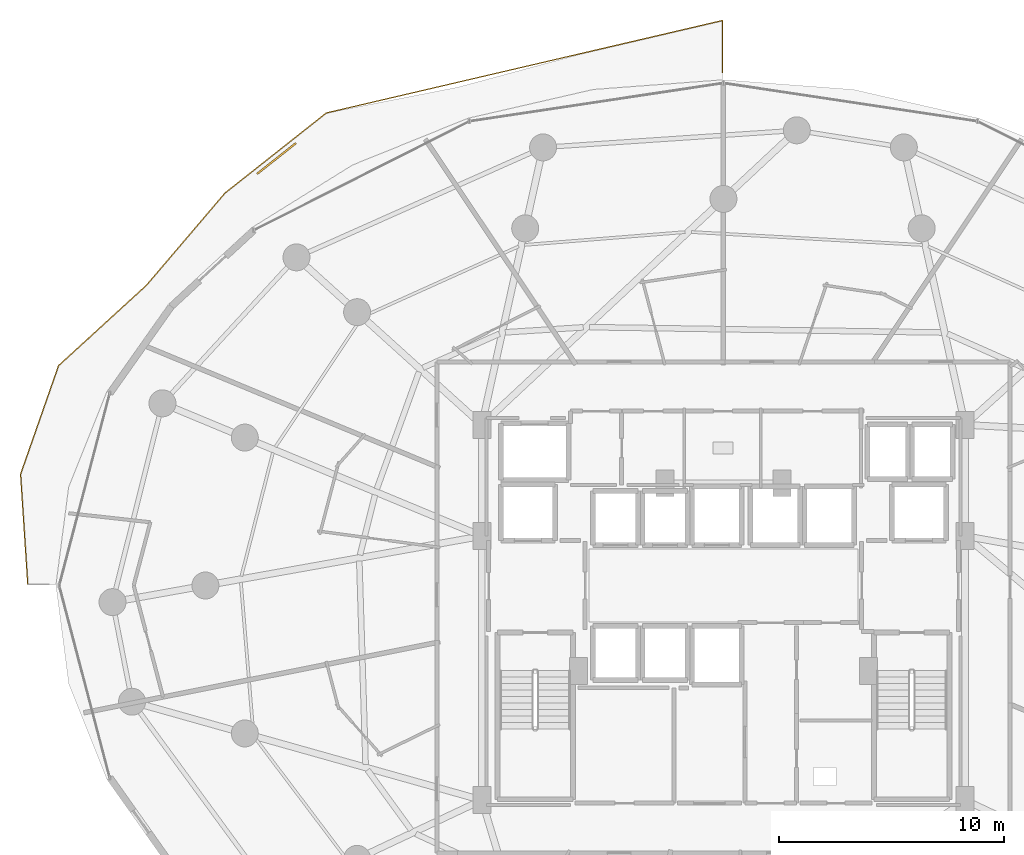
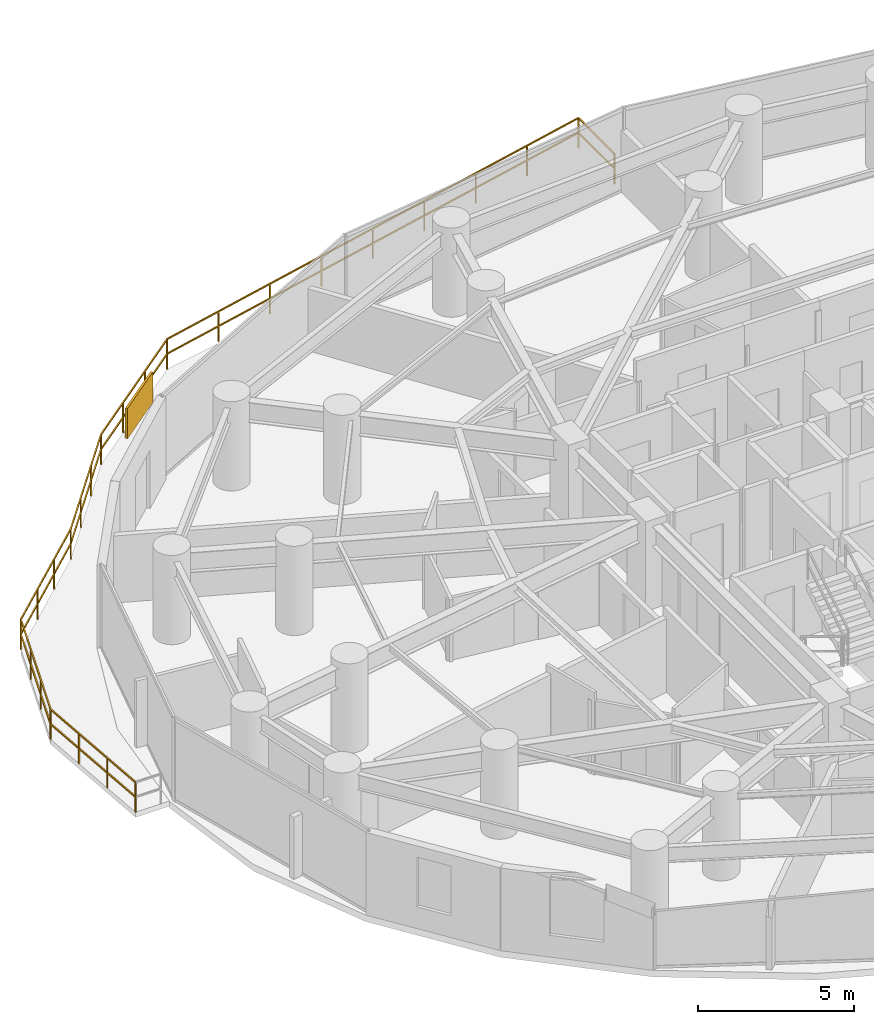
# One storey, part 34 of 35: 1 railing, 1 shading device.
"""IFC4 building model written with IfcOpenShell, lengths in metres."""

from ifc_helpers import new_model, si_unit, direction, frame, origin, origin_2d, place, context, subcontext, project, spatial, rectangle, extrude, material, type_object, element, save


model = new_model("IFC4")

# Units and contexts
model_context = context("Model", 3, precision=1e-05, world=origin(), true_north=direction((0.0, 1.0)))
body_context = subcontext(model_context, "Body", "Model", "MODEL_VIEW")
ifc_project = project(units=[si_unit("LENGTHUNIT", "METRE"), si_unit("AREAUNIT", "SQUARE_METRE"), si_unit("VOLUMEUNIT", "CUBIC_METRE"), si_unit("PLANEANGLEUNIT", "RADIAN"), si_unit("MASSUNIT", "GRAM", prefix="KILO")], contexts=[model_context])

# Site, building, storey
site_placement = place(None, origin())
site = spatial("IfcSite", under=ifc_project, at=site_placement, CompositionType="ELEMENT")
building_placement = place(site_placement, origin())
building = spatial("IfcBuilding", under=site, at=building_placement, Name="Vorneva Point Tower", CompositionType="ELEMENT")
storey_placement = place(building_placement, frame((0.0, 0.0, 48.5)))
storey = spatial("IfcBuildingStorey", under=building, at=storey_placement, Name="L12", CompositionType="ELEMENT", Elevation=48.5)

# Railing
ifc_material = material(Name="Pale anodised aluminium", Category="aluminium")
railing_type = type_object("IfcRailingType", Name="RL-BAL-1200", PredefinedType="BALUSTRADE", material=ifc_material)
railing_placement = place(storey_placement, frame((37.949951171875, 48.817138671875, 0.0)))
element("IfcRailing", 1, at=railing_placement, inside=storey, type_object=railing_type, Name="L12 Wave Balcony Balustrade NW.2", PredefinedType="BALUSTRADE", context=body_context, shape_type="SweptSolid", body=[
    extrude(rectangle(XDim=0.048095703125, YDim=0.048095703125, at=origin_2d()), frame((0.0, 0.0, 1.17578125), z_axis=(0.0, 1.0, 0.0), x_axis=(-1.0, 0.0, 0.0)), (0.0, 0.0, 1.0), 2.321044921875),
    extrude(rectangle(XDim=0.048095703125, YDim=0.048095703125, at=origin_2d()), frame((0.0, 0.0, 0.60009765625), z_axis=(0.0, 1.0, 0.0), x_axis=(-1.0, 0.0, 0.0)), (0.0, 0.0, 1.0), 2.321044921875),
    extrude(rectangle(XDim=0.048095703125, YDim=0.048095703125, at=origin_2d()), frame((0.0, 2.321044921875, 1.17578125), z_axis=(-0.973826081871, -0.22729443959, 0.0), x_axis=(0.22729443959, -0.973826081871, 0.0)), (0.0, 0.0, 1.0), 18.0966796875),
    extrude(rectangle(XDim=0.048095703125, YDim=0.048095703125, at=origin_2d()), frame((0.0, 2.321044921875, 0.60009765625), z_axis=(-0.973826081871, -0.22729443959, 0.0), x_axis=(0.22729443959, -0.973826081871, 0.0)), (0.0, 0.0, 1.0), 18.0966796875),
    extrude(rectangle(XDim=0.048095703125, YDim=0.048095703125, at=origin_2d()), frame((-17.623046875, -1.792236328125, 1.17578125), z_axis=(-0.784567085049, -0.620043941232, 0.0), x_axis=(0.620043941232, -0.784567085049, 0.0)), (0.0, 0.0, 1.0), 5.742919921875),
    extrude(rectangle(XDim=0.048095703125, YDim=0.048095703125, at=origin_2d()), frame((-17.623046875, -1.792236328125, 0.60009765625), z_axis=(-0.784567085049, -0.620043941232, 0.0), x_axis=(0.620043941232, -0.784567085049, 0.0)), (0.0, 0.0, 1.0), 5.742919921875),
    extrude(rectangle(XDim=0.048095703125, YDim=0.048095703125, at=origin_2d()), frame((-22.128662109375, -5.35302734375, 1.17578125), z_axis=(-0.648388648696, -0.761309503581, 0.0), x_axis=(0.761309503581, -0.648388648696, 0.0)), (0.0, 0.0, 1.0), 5.387939453125),
    extrude(rectangle(XDim=0.048095703125, YDim=0.048095703125, at=origin_2d()), frame((-22.128662109375, -5.35302734375, 0.60009765625), z_axis=(-0.648388648696, -0.761309503581, 0.0), x_axis=(0.761309503581, -0.648388648696, 0.0)), (0.0, 0.0, 1.0), 5.387939453125),
    extrude(rectangle(XDim=0.048095703125, YDim=0.048095703125, at=origin_2d()), frame((-25.6220703125, -9.454833984375, 1.17578125), z_axis=(-0.737832245033, -0.674984131806, 0.0), x_axis=(0.674984131806, -0.737832245033, 0.0)), (0.0, 0.0, 1.0), 5.302490234375),
    extrude(rectangle(XDim=0.048095703125, YDim=0.048095703125, at=origin_2d()), frame((-25.6220703125, -9.454833984375, 0.60009765625), z_axis=(-0.737832245033, -0.674984131806, 0.0), x_axis=(0.674984131806, -0.737832245033, 0.0)), (0.0, 0.0, 1.0), 5.302490234375),
    extrude(rectangle(XDim=0.048095703125, YDim=0.048095703125, at=origin_2d()), frame((-29.534423828125, -13.033935546875, 1.17578125), z_axis=(-0.330233543344, -0.943899256727, 0.0), x_axis=(0.943899256727, -0.330233543344, 0.0)), (0.0, 0.0, 1.0), 5.117431640625),
    extrude(rectangle(XDim=0.048095703125, YDim=0.048095703125, at=origin_2d()), frame((-29.534423828125, -13.033935546875, 0.60009765625), z_axis=(-0.330233543344, -0.943899256727, 0.0), x_axis=(0.943899256727, -0.330233543344, 0.0)), (0.0, 0.0, 1.0), 5.117431640625),
    extrude(rectangle(XDim=0.048095703125, YDim=0.048095703125, at=origin_2d()), frame((-31.224365234375, -17.8642578125, 1.17578125), z_axis=(0.065341588771, -0.997862954908, 0.0), x_axis=(0.997862954908, 0.065341588771, 0.0)), (0.0, 0.0, 1.0), 4.913330078125),
    extrude(rectangle(XDim=0.048095703125, YDim=0.048095703125, at=origin_2d()), frame((-31.224365234375, -17.8642578125, 0.60009765625), z_axis=(0.065341588771, -0.997862954908, 0.0), x_axis=(0.997862954908, 0.065341588771, 0.0)), (0.0, 0.0, 1.0), 4.913330078125),
    extrude(rectangle(XDim=0.0419921875, YDim=0.0419921875, at=origin_2d()), origin(), (0.0, 0.0, 1.0), 1.15185546875),
    extrude(rectangle(XDim=0.0419921875, YDim=0.0419921875, at=origin_2d()), frame((0.0, 2.321044921875, 0.0)), (0.0, 0.0, 1.0), 1.15185546875),
    extrude(rectangle(XDim=0.0419921875, YDim=0.0419921875, at=origin_2d()), frame((-2.202880859375, 1.806884765625, 0.0)), (0.0, 0.0, 1.0), 1.15185546875),
    extrude(rectangle(XDim=0.0419921875, YDim=0.0419921875, at=origin_2d()), frame((-4.40576171875, 1.292724609375, 0.0)), (0.0, 0.0, 1.0), 1.15185546875),
    extrude(rectangle(XDim=0.0419921875, YDim=0.0419921875, at=origin_2d()), frame((-6.608642578125, 0.778564453125, 0.0)), (0.0, 0.0, 1.0), 1.15185546875),
    extrude(rectangle(XDim=0.0419921875, YDim=0.0419921875, at=origin_2d()), frame((-8.8115234375, 0.264404296875, 0.0)), (0.0, 0.0, 1.0), 1.15185546875),
    extrude(rectangle(XDim=0.0419921875, YDim=0.0419921875, at=origin_2d()), frame((-11.014404296875, -0.249755859375, 0.0)), (0.0, 0.0, 1.0), 1.15185546875),
    extrude(rectangle(XDim=0.0419921875, YDim=0.0419921875, at=origin_2d()), frame((-13.21728515625, -0.763916015625, 0.0)), (0.0, 0.0, 1.0), 1.15185546875),
    extrude(rectangle(XDim=0.0419921875, YDim=0.0419921875, at=origin_2d()), frame((-15.420166015625, -1.278076171875, 0.0)), (0.0, 0.0, 1.0), 1.15185546875),
    extrude(rectangle(XDim=0.0419921875, YDim=0.0419921875, at=origin_2d()), frame((-17.623046875, -1.792236328125, 0.0)), (0.0, 0.0, 1.0), 1.15185546875),
    extrude(rectangle(XDim=0.0419921875, YDim=0.0419921875, at=origin_2d()), frame((-19.125, -2.979248046875, 0.0)), (0.0, 0.0, 1.0), 1.15185546875),
    extrude(rectangle(XDim=0.0419921875, YDim=0.0419921875, at=origin_2d()), frame((-20.626708984375, -4.166015625, 0.0)), (0.0, 0.0, 1.0), 1.15185546875),
    extrude(rectangle(XDim=0.0419921875, YDim=0.0419921875, at=origin_2d()), frame((-22.128662109375, -5.35302734375, 0.0)), (0.0, 0.0, 1.0), 1.15185546875),
    extrude(rectangle(XDim=0.0419921875, YDim=0.0419921875, at=origin_2d()), frame((-23.293212890625, -6.72021484375, 0.0)), (0.0, 0.0, 1.0), 1.15185546875),
    extrude(rectangle(XDim=0.0419921875, YDim=0.0419921875, at=origin_2d()), frame((-24.45751953125, -8.087646484375, 0.0)), (0.0, 0.0, 1.0), 1.15185546875),
    extrude(rectangle(XDim=0.0419921875, YDim=0.0419921875, at=origin_2d()), frame((-25.6220703125, -9.454833984375, 0.0)), (0.0, 0.0, 1.0), 1.15185546875),
    extrude(rectangle(XDim=0.0419921875, YDim=0.0419921875, at=origin_2d()), frame((-26.92626953125, -10.64794921875, 0.0)), (0.0, 0.0, 1.0), 1.15185546875),
    extrude(rectangle(XDim=0.0419921875, YDim=0.0419921875, at=origin_2d()), frame((-28.230224609375, -11.8408203125, 0.0)), (0.0, 0.0, 1.0), 1.15185546875),
    extrude(rectangle(XDim=0.0419921875, YDim=0.0419921875, at=origin_2d()), frame((-29.534423828125, -13.033935546875, 0.0)), (0.0, 0.0, 1.0), 1.15185546875),
    extrude(rectangle(XDim=0.0419921875, YDim=0.0419921875, at=origin_2d()), frame((-30.09765625, -14.64404296875, 0.0)), (0.0, 0.0, 1.0), 1.15185546875),
    extrude(rectangle(XDim=0.0419921875, YDim=0.0419921875, at=origin_2d()), frame((-30.6611328125, -16.254150390625, 0.0)), (0.0, 0.0, 1.0), 1.15185546875),
    extrude(rectangle(XDim=0.0419921875, YDim=0.0419921875, at=origin_2d()), frame((-31.224365234375, -17.8642578125, 0.0)), (0.0, 0.0, 1.0), 1.15185546875),
    extrude(rectangle(XDim=0.0419921875, YDim=0.0419921875, at=origin_2d()), frame((-31.117431640625, -19.49853515625, 0.0)), (0.0, 0.0, 1.0), 1.15185546875),
    extrude(rectangle(XDim=0.0419921875, YDim=0.0419921875, at=origin_2d()), frame((-31.01025390625, -21.1328125, 0.0)), (0.0, 0.0, 1.0), 1.15185546875),
    extrude(rectangle(XDim=0.0419921875, YDim=0.0419921875, at=origin_2d()), frame((-30.9033203125, -22.76708984375, 0.0)), (0.0, 0.0, 1.0), 1.15185546875),
])

# Shading device
shading_device_type = type_object("IfcShadingDeviceType", Name="SHD-JAL-1200", PredefinedType="JALOUSIE", material=ifc_material)
shading_device_placement = place(storey_placement, frame((18.1171875, 45.000732421875, -0.02001953125), z_axis=(0.0, 0.0, 1.0), x_axis=(-0.784559979031, -0.620052932662, 0.0)))
element("IfcShadingDevice", 2, at=shading_device_placement, inside=storey, type_object=shading_device_type, Name="L12 Balcony Vertical-Greenery Planter Screen NW.2", PredefinedType="JALOUSIE", context=body_context, shape_type="SweptSolid", body=[
    extrude(rectangle(XDim=2.199951171875, YDim=0.080078125, at=origin_2d()), origin(), (0.0, 0.0, 1.0), 1.199951171875),
])

save(model, "model.ifc")
